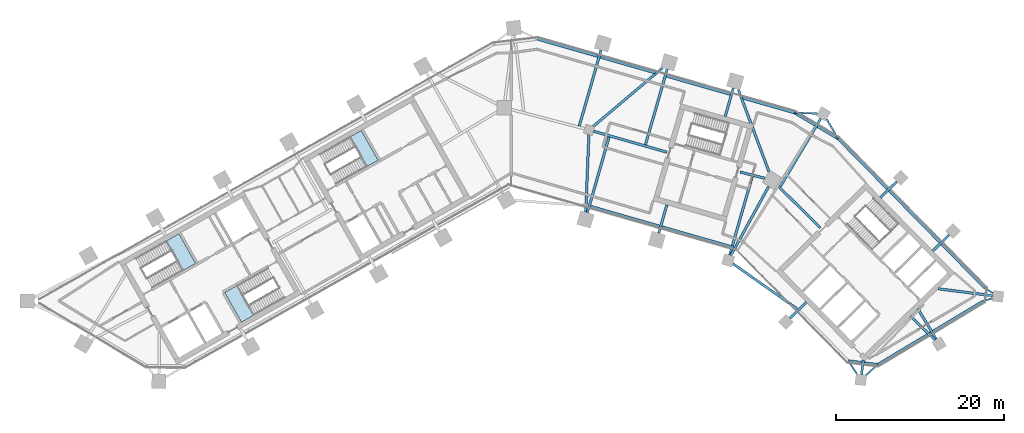
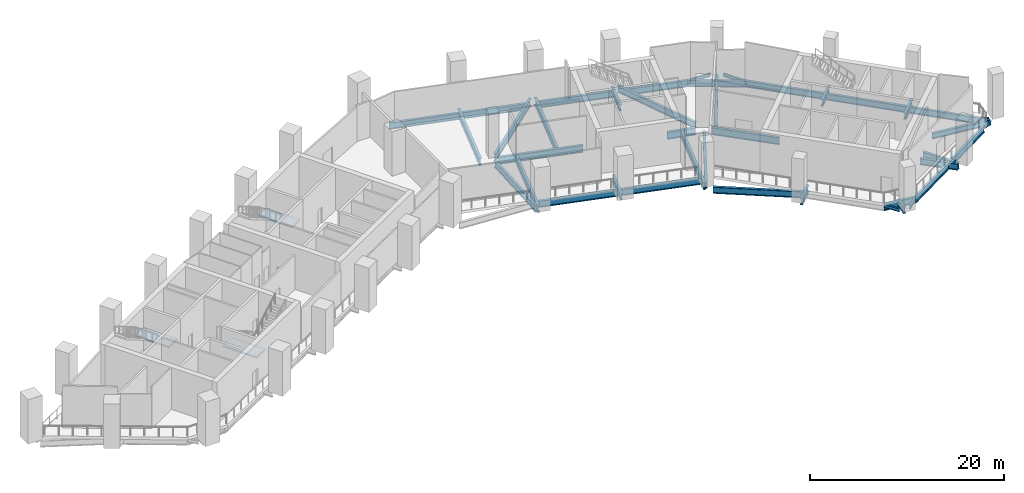
# One storey, part 2 of 11: 43 beams, 3 slabs, 3 elements without a shape of their own.
"""IFC4 building model written with IfcOpenShell, lengths in metres."""

from ifc_helpers import new_model, si_unit, direction, frame, origin, origin_2d, place, context, subcontext, project, spatial, polyline, i_section, outline, extrude, material, layer, layer_set, material_profile, profile_set, type_object, element, aggregate, save


model = new_model("IFC4")

# Units and contexts
model_context = context("Model", 3, precision=1e-05, world=origin(), true_north=direction((0.0, 1.0)))
body_context = subcontext(model_context, "Body", "Model", "MODEL_VIEW")
ifc_project = project(units=[si_unit("LENGTHUNIT", "METRE"), si_unit("AREAUNIT", "SQUARE_METRE"), si_unit("VOLUMEUNIT", "CUBIC_METRE"), si_unit("PLANEANGLEUNIT", "RADIAN"), si_unit("MASSUNIT", "GRAM", prefix="KILO")], contexts=[model_context])

# Site, building, storey
site_placement = place(None, origin())
site = spatial("IfcSite", under=ifc_project, at=site_placement, CompositionType="ELEMENT")
building_placement = place(site_placement, origin())
building = spatial("IfcBuilding", under=site, at=building_placement, Name="Binnacle Exchange Tower", CompositionType="ELEMENT")
storey_placement = place(building_placement, frame((0.0, 0.0, 91.5)))
storey = spatial("IfcBuildingStorey", under=building, at=storey_placement, Name="L18", CompositionType="ELEMENT", Elevation=91.5)

# Beams
ifc_material_1 = material(Name="Steel S355 (SHN355)", Category="steel")
ifc_material_profile_1 = material_profile(ifc_material_1, i_section(OverallWidth=0.300048828125, OverallDepth=0.800048828125, WebThickness=0.013916015625, FlangeThickness=0.02587890625, FilletRadius=0.028076171875, at=origin_2d()), Name="H 800x300x14x26")
ifc_profile_set_1 = profile_set([ifc_material_profile_1], Name="Steel S355 (SHN355)")
beam_type_1 = type_object("IfcBeamType", Name="Edge girder H 800x300x14x26 Steel S355 (SHN355)", PredefinedType="SPANDREL", material=ifc_profile_set_1)
beam_1_placement = place(storey_placement, frame((3.1298828125, 68.1376953125, -0.75), z_axis=(0.96125760514, -0.275651621726, 0.0), x_axis=(0.275651621726, 0.96125760514, 0.0)))
element("IfcBeam", 1, at=beam_1_placement, inside=storey, type_object=beam_type_1, Name="S:BM:edge:L18:032", PredefinedType="SPANDREL", context=body_context, shape_type="SweptSolid", body=[
    extrude(i_section(OverallWidth=0.300048828125, OverallDepth=0.800048828125, WebThickness=0.013916015625, FlangeThickness=0.02587890625, FilletRadius=0.028076171875, at=origin_2d()), origin(), (0.0, 0.0, 1.0), 7.449462890625),
])
beam_2_placement = place(storey_placement, frame((10.5791015625, 66.001708984375, -0.75), z_axis=(0.961253963763, -0.275664319689, 0.0), x_axis=(0.275664319689, 0.961253963763, 0.0)))
element("IfcBeam", 2, at=beam_2_placement, inside=storey, type_object=beam_type_1, Name="S:BM:edge:L18:034", PredefinedType="SPANDREL", context=body_context, shape_type="SweptSolid", body=[
    extrude(i_section(OverallWidth=0.300048828125, OverallDepth=0.800048828125, WebThickness=0.013916015625, FlangeThickness=0.02587890625, FilletRadius=0.028076171875, at=origin_2d()), origin(), (0.0, 0.0, 1.0), 6.76806640625),
])
beam_3_placement = place(storey_placement, frame((17.59912109375, 45.91845703125, -0.75), z_axis=(-0.961264031761, 0.275629209703, 0.0), x_axis=(-0.275629209703, -0.961264031761, 0.0)))
element("IfcBeam", 3, at=beam_3_placement, inside=storey, type_object=beam_type_1, Name="S:BM:edge:L18:035", PredefinedType="SPANDREL", context=body_context, shape_type="SweptSolid", body=[
    extrude(i_section(OverallWidth=0.300048828125, OverallDepth=0.800048828125, WebThickness=0.013916015625, FlangeThickness=0.02587890625, FilletRadius=0.028076171875, at=origin_2d()), origin(), (0.0, 0.0, 1.0), 8.52099609375),
])
beam_4_placement = place(storey_placement, frame((18.435546875, 63.748779296875, -0.75), z_axis=(0.961260218753, -0.275642507323, 0.0), x_axis=(0.275642507323, 0.961260218753, 0.0)))
element("IfcBeam", 4, at=beam_4_placement, inside=storey, type_object=beam_type_1, Name="S:BM:edge:L18:036", PredefinedType="SPANDREL", context=body_context, shape_type="SweptSolid", body=[
    extrude(i_section(OverallWidth=0.300048828125, OverallDepth=0.800048828125, WebThickness=0.013916015625, FlangeThickness=0.02587890625, FilletRadius=0.028076171875, at=origin_2d()), origin(), (0.0, 0.0, 1.0), 7.873046875),
])
beam_5_placement = place(storey_placement, frame((26.43603515625, 43.384521484375, -0.75), z_axis=(-0.961264530406, 0.275627470663, 0.0), x_axis=(-0.275627470663, -0.961264530406, 0.0)))
element("IfcBeam", 5, at=beam_5_placement, inside=storey, type_object=beam_type_1, Name="S:BM:edge:L18:037", PredefinedType="SPANDREL", context=body_context, shape_type="SweptSolid", body=[
    extrude(i_section(OverallWidth=0.300048828125, OverallDepth=0.800048828125, WebThickness=0.013916015625, FlangeThickness=0.02587890625, FilletRadius=0.028076171875, at=origin_2d()), origin(), (0.0, 0.0, 1.0), 8.89306640625),
])
beam_6_placement = place(storey_placement, frame((27.465576171875, 61.159423828125, -0.75), z_axis=(0.961264316474, -0.275628216761, 0.0), x_axis=(0.275628216761, 0.961264316474, 0.0)))
element("IfcBeam", 6, at=beam_6_placement, inside=storey, type_object=beam_type_1, Name="S:BM:edge:L18:038", PredefinedType="SPANDREL", context=body_context, shape_type="SweptSolid", body=[
    extrude(i_section(OverallWidth=0.300048828125, OverallDepth=0.800048828125, WebThickness=0.013916015625, FlangeThickness=0.02587890625, FilletRadius=0.028076171875, at=origin_2d()), origin(), (0.0, 0.0, 1.0), 6.433349609375),
])
beam_7_placement = place(storey_placement, frame((33.649658203125, 59.38623046875, -0.75), z_axis=(0.859396278682, -0.511310117431, 0.0), x_axis=(0.511310117431, 0.859396278682, 0.0)))
element("IfcBeam", 7, at=beam_7_placement, inside=storey, type_object=beam_type_1, Name="S:BM:edge:L18:039", PredefinedType="SPANDREL", context=body_context, shape_type="SweptSolid", body=[
    extrude(i_section(OverallWidth=0.300048828125, OverallDepth=0.800048828125, WebThickness=0.013916015625, FlangeThickness=0.02587890625, FilletRadius=0.028076171875, at=origin_2d()), origin(), (0.0, 0.0, 1.0), 2.86572265625),
])
beam_8_placement = place(storey_placement, frame((33.9912109375, 36.06689453125, -0.75), z_axis=(-0.817556579921, 0.575848277438, 0.0), x_axis=(-0.575848277438, -0.817556579921, 0.0)))
element("IfcBeam", 8, at=beam_8_placement, inside=storey, type_object=beam_type_1, Name="S:BM:edge:L18:040", PredefinedType="SPANDREL", context=body_context, shape_type="SweptSolid", body=[
    extrude(i_section(OverallWidth=0.300048828125, OverallDepth=0.800048828125, WebThickness=0.013916015625, FlangeThickness=0.02587890625, FilletRadius=0.028076171875, at=origin_2d()), origin(), (0.0, 0.0, 1.0), 9.371337890625),
])
beam_9_placement = place(storey_placement, frame((36.370361328125, 57.767578125, -0.75), z_axis=(0.85943371201, -0.511247195259, 0.0), x_axis=(0.511247195259, 0.85943371201, 0.0)))
element("IfcBeam", 9, at=beam_9_placement, inside=storey, type_object=beam_type_1, Name="S:BM:edge:L18:041", PredefinedType="SPANDREL", context=body_context, shape_type="SweptSolid", body=[
    extrude(i_section(OverallWidth=0.300048828125, OverallDepth=0.800048828125, WebThickness=0.013916015625, FlangeThickness=0.02587890625, FilletRadius=0.028076171875, at=origin_2d()), origin(), (0.0, 0.0, 1.0), 2.86572265625),
])
beam_10_placement = place(storey_placement, frame((38.833251953125, 56.302490234375, -0.75), z_axis=(0.700898201799, -0.713261320075, 0.0), x_axis=(0.713261320075, 0.700898201799, 0.0)))
element("IfcBeam", 10, at=beam_10_placement, inside=storey, type_object=beam_type_1, Name="S:BM:edge:L18:042", PredefinedType="SPANDREL", context=body_context, shape_type="SweptSolid", body=[
    extrude(i_section(OverallWidth=0.300048828125, OverallDepth=0.800048828125, WebThickness=0.013916015625, FlangeThickness=0.02587890625, FilletRadius=0.028076171875, at=origin_2d()), origin(), (0.0, 0.0, 1.0), 8.353271484375),
])
beam_11_placement = place(storey_placement, frame((41.6279296875, 29.717529296875, -0.75), z_axis=(-0.992007233584, 0.126181014882, 0.0), x_axis=(-0.126181014882, -0.992007233584, 0.0)))
element("IfcBeam", 11, at=beam_11_placement, inside=storey, type_object=beam_type_1, Name="S:BM:edge:L18:044", PredefinedType="SPANDREL", context=body_context, shape_type="SweptSolid", body=[
    extrude(i_section(OverallWidth=0.300048828125, OverallDepth=0.800048828125, WebThickness=0.013916015625, FlangeThickness=0.02587890625, FilletRadius=0.028076171875, at=origin_2d()), origin(), (0.0, 0.0, 1.0), 1.60986328125),
])
beam_12_placement = place(storey_placement, frame((43.5234375, 29.476318359375, -0.75), z_axis=(-0.991997911724, 0.126254279674, 0.0), x_axis=(-0.126254279674, -0.991997911724, 0.0)))
element("IfcBeam", 12, at=beam_12_placement, inside=storey, type_object=beam_type_1, Name="S:BM:edge:L18:045", PredefinedType="SPANDREL", context=body_context, shape_type="SweptSolid", body=[
    extrude(i_section(OverallWidth=0.300048828125, OverallDepth=0.800048828125, WebThickness=0.013916015625, FlangeThickness=0.02587890625, FilletRadius=0.028076171875, at=origin_2d()), origin(), (0.0, 0.0, 1.0), 1.61083984375),
])
beam_13_placement = place(storey_placement, frame((44.898193359375, 50.130615234375, -0.75), z_axis=(0.700899302003, -0.713260238939, 0.0), x_axis=(0.713260238939, 0.700899302003, 0.0)))
element("IfcBeam", 13, at=beam_13_placement, inside=storey, type_object=beam_type_1, Name="S:BM:edge:L18:046", PredefinedType="SPANDREL", context=body_context, shape_type="SweptSolid", body=[
    extrude(i_section(OverallWidth=0.300048828125, OverallDepth=0.800048828125, WebThickness=0.013916015625, FlangeThickness=0.02587890625, FilletRadius=0.028076171875, at=origin_2d()), origin(), (0.0, 0.0, 1.0), 8.572021484375),
])
beam_14_placement = place(storey_placement, frame((49.833984375, 33.268310546875, -0.75), z_axis=(-0.857153323442, -0.515061336262, 0.0), x_axis=(0.515061336262, -0.857153323442, 0.0)))
element("IfcBeam", 14, at=beam_14_placement, inside=storey, type_object=beam_type_1, Name="S:BM:edge:L18:047", PredefinedType="SPANDREL", context=body_context, shape_type="SweptSolid", body=[
    extrude(i_section(OverallWidth=0.300048828125, OverallDepth=0.800048828125, WebThickness=0.013916015625, FlangeThickness=0.02587890625, FilletRadius=0.028076171875, at=origin_2d()), origin(), (0.0, 0.0, 1.0), 7.3623046875),
])
beam_15_placement = place(storey_placement, frame((51.11669921875, 43.802734375, -0.75), z_axis=(0.700893017941, -0.713266414043, 0.0), x_axis=(0.713266414043, 0.700893017941, 0.0)))
element("IfcBeam", 15, at=beam_15_placement, inside=storey, type_object=beam_type_1, Name="S:BM:edge:L18:048", PredefinedType="SPANDREL", context=body_context, shape_type="SweptSolid", body=[
    extrude(i_section(OverallWidth=0.300048828125, OverallDepth=0.800048828125, WebThickness=0.013916015625, FlangeThickness=0.02587890625, FilletRadius=0.028076171875, at=origin_2d()), origin(), (0.0, 0.0, 1.0), 7.340087890625),
])
beam_16_placement = place(storey_placement, frame((56.063232421875, 37.010986328125, -0.75), z_axis=(-0.857161910898, -0.515047044944, 0.0), x_axis=(0.515047044944, -0.857161910898, 0.0)))
element("IfcBeam", 16, at=beam_16_placement, inside=storey, type_object=beam_type_1, Name="S:BM:edge:L18:049", PredefinedType="SPANDREL", context=body_context, shape_type="SweptSolid", body=[
    extrude(i_section(OverallWidth=0.300048828125, OverallDepth=0.800048828125, WebThickness=0.013916015625, FlangeThickness=0.02587890625, FilletRadius=0.028076171875, at=origin_2d()), origin(), (0.0, 0.0, 1.0), 6.967041015625),
])
ifc_material_profile_2 = material_profile(ifc_material_1, i_section(OverallWidth=0.199951171875, OverallDepth=0.39990234375, WebThickness=0.008056640625, FlangeThickness=0.012939453125, FilletRadius=0.01611328125, at=origin_2d()), Name="H 400x200x8x13")
ifc_profile_set_2 = profile_set([ifc_material_profile_2], Name="Steel S355 (SHN355)")
beam_type_2 = type_object("IfcBeamType", Name="Floor beam H 400x200x8x13 Steel S355 (SHN355)", PredefinedType="BEAM", material=ifc_profile_set_2)
beam_17_placement = place(storey_placement, frame((36.344482421875, 59.2890625, -0.550048828125), z_axis=(-0.999350570304, 0.036033840096, 0.0), x_axis=(-0.036033840096, -0.999350570304, 0.0)))
element("IfcBeam", 17, at=beam_17_placement, inside=storey, type_object=beam_type_2, Name="S:BM:cross:L18:074", PredefinedType="BEAM", context=body_context, shape_type="SweptSolid", body=[
    extrude(i_section(OverallWidth=0.199951171875, OverallDepth=0.39990234375, WebThickness=0.008056640625, FlangeThickness=0.012939453125, FilletRadius=0.01611328125, at=origin_2d()), origin(), (0.0, 0.0, 1.0), 2.696533203125),
])
beam_18_placement = place(storey_placement, frame((37.4619140625, 58.62451171875, -0.550048828125), z_axis=(0.508518840973, -0.861050862827, 0.0), x_axis=(0.861050862827, 0.508518840973, 0.0)))
element("IfcBeam", 18, at=beam_18_placement, inside=storey, type_object=beam_type_2, Name="S:BM:cross:L18:076", PredefinedType="BEAM", context=body_context, shape_type="SweptSolid", body=[
    extrude(i_section(OverallWidth=0.199951171875, OverallDepth=0.39990234375, WebThickness=0.008056640625, FlangeThickness=0.012939453125, FilletRadius=0.01611328125, at=origin_2d()), origin(), (0.0, 0.0, 1.0), 2.69677734375),
])
for number, where, z_axis, x_axis, name in (
    (19, (41.04541015625, 28.390380859375, -0.550048828125), (-0.552519517142, 0.833499959914, 0.0), (-0.833499959914, -0.552519517142, 0.0), "S:BM:cross:L18:077"),
    (20, (42.158203125, 28.248779296875, -0.550048828125), (0.743611445895, 0.668612008219, 0.0), (-0.668612008219, 0.743611445895, 0.0), "S:BM:cross:L18:079"),
):
    element("IfcBeam", number, at=place(storey_placement, frame(where, z_axis=z_axis, x_axis=x_axis)), inside=storey, type_object=beam_type_2, Name=name, PredefinedType="BEAM", context=body_context, shape_type="SweptSolid", body=[
        extrude(i_section(OverallWidth=0.199951171875, OverallDepth=0.39990234375, WebThickness=0.008056640625, FlangeThickness=0.012939453125, FilletRadius=0.01611328125, at=origin_2d()), origin(), (0.0, 0.0, 1.0), 1.8359375),
    ])
for number, where, z_axis, x_axis, name in (
    (21, (57.115234375, 37.3564453125, -0.550048828125), (-0.950084978992, -0.31199123817, 0.0), (0.31199123817, -0.950084978992, 0.0), "S:BM:cross:L18:083"),
    (22, (57.193115234375, 37.969482421875, -0.550048828125), (-0.841658154896, 0.540010694614, 0.0), (-0.540010694614, -0.841658154896, 0.0), "S:BM:cross:L18:085"),
):
    element("IfcBeam", number, at=place(storey_placement, frame(where, z_axis=z_axis, x_axis=x_axis)), inside=storey, type_object=beam_type_2, Name=name, PredefinedType="BEAM", context=body_context, shape_type="SweptSolid", body=[
        extrude(i_section(OverallWidth=0.199951171875, OverallDepth=0.39990234375, WebThickness=0.008056640625, FlangeThickness=0.012939453125, FilletRadius=0.01611328125, at=origin_2d()), origin(), (0.0, 0.0, 1.0), 1.107177734375),
    ])
ifc_material_profile_3 = material_profile(ifc_material_1, i_section(OverallWidth=0.300048828125, OverallDepth=0.699951171875, WebThickness=0.012939453125, FlangeThickness=0.02392578125, FilletRadius=0.028076171875, at=origin_2d()), Name="H 700x300x13x24")
ifc_profile_set_3 = profile_set([ifc_material_profile_3], Name="Steel S355 (SHN355)")
beam_type_3 = type_object("IfcBeamType", Name="Floor beam H 700x300x13x24 Steel S355 (SHN355)", PredefinedType="BEAM", material=ifc_profile_set_3)
beam_19_placement = place(storey_placement, frame((57.154296875, 37.6630859375, -0.699951171875), z_axis=(-0.992006658356, 0.126185537116, 0.0), x_axis=(-0.126185537116, -0.992006658356, 0.0)))
element("IfcBeam", 23, at=beam_19_placement, inside=storey, type_object=beam_type_3, Name="S:BM:cross:L18:084", PredefinedType="BEAM", context=body_context, shape_type="SweptSolid", body=[
    extrude(i_section(OverallWidth=0.300048828125, OverallDepth=0.699951171875, WebThickness=0.012939453125, FlangeThickness=0.02392578125, FilletRadius=0.028076171875, at=origin_2d()), origin(), (0.0, 0.0, 1.0), 6.4814453125),
])
ifc_material_profile_4 = material_profile(ifc_material_1, i_section(OverallWidth=0.300048828125, OverallDepth=0.800048828125, WebThickness=0.013916015625, FlangeThickness=0.02587890625, FilletRadius=0.028076171875, at=origin_2d()), Name="H 800x300x14x26")
ifc_profile_set_4 = profile_set([ifc_material_profile_4], Name="Steel S355 (SHN355)")
beam_type_4 = type_object("IfcBeamType", Name="Floor beam H 800x300x14x26 Steel S355 (SHN355)", PredefinedType="BEAM", material=ifc_profile_set_4)
for number, where, z_axis, x_axis, name in (
    (24, (17.5224609375, 45.108154296875, -0.75), (0.275655468279, 0.961256502089, 0.0), (-0.961256502089, 0.275655468279, 0.0), "S:BM:cross:L18:069"),
    (25, (26.368408203125, 62.306396484375, -0.75), (-0.275655468279, -0.961256502089, 0.0), (0.961256502089, -0.275655468279, 0.0), "S:BM:cross:L18:072"),
):
    element("IfcBeam", number, at=place(storey_placement, frame(where, z_axis=z_axis, x_axis=x_axis)), inside=storey, type_object=beam_type_4, Name=name, PredefinedType="BEAM", context=body_context, shape_type="SweptSolid", body=[
        extrude(i_section(OverallWidth=0.300048828125, OverallDepth=0.800048828125, WebThickness=0.013916015625, FlangeThickness=0.02587890625, FilletRadius=0.028076171875, at=origin_2d()), origin(), (0.0, 0.0, 1.0), 3.485107421875),
    ])
beam_20_placement = place(storey_placement, frame((33.104736328125, 34.985595703125, -0.75), z_axis=(0.713254209224, 0.700905438004, 0.0), x_axis=(-0.700905438004, 0.713254209224, 0.0)))
element("IfcBeam", 26, at=beam_20_placement, inside=storey, type_object=beam_type_4, Name="S:BM:cross:L18:073", PredefinedType="BEAM", context=body_context, shape_type="SweptSolid", body=[
    extrude(i_section(OverallWidth=0.300048828125, OverallDepth=0.800048828125, WebThickness=0.013916015625, FlangeThickness=0.02587890625, FilletRadius=0.028076171875, at=origin_2d()), origin(), (0.0, 0.0, 1.0), 2.70849609375),
])
beam_21_placement = place(storey_placement, frame((41.601806640625, 28.319580078125, -0.75), z_axis=(0.126197116971, 0.992005185303, 0.0), x_axis=(-0.992005185303, 0.126197116971, 0.0)))
element("IfcBeam", 27, at=beam_21_placement, inside=storey, type_object=beam_type_4, Name="S:BM:cross:L18:078", PredefinedType="BEAM", context=body_context, shape_type="SweptSolid", body=[
    extrude(i_section(OverallWidth=0.300048828125, OverallDepth=0.800048828125, WebThickness=0.013916015625, FlangeThickness=0.02587890625, FilletRadius=0.028076171875, at=origin_2d()), origin(), (0.0, 0.0, 1.0), 1.68115234375),
])
beam_22_placement = place(storey_placement, frame((45.78466796875, 51.211669921875, -0.75), z_axis=(-0.713299272232, -0.700859578113, 0.0), x_axis=(0.700859578113, -0.713299272232, 0.0)))
element("IfcBeam", 28, at=beam_22_placement, inside=storey, type_object=beam_type_4, Name="S:BM:cross:L18:080", PredefinedType="BEAM", context=body_context, shape_type="SweptSolid", body=[
    extrude(i_section(OverallWidth=0.300048828125, OverallDepth=0.800048828125, WebThickness=0.013916015625, FlangeThickness=0.02587890625, FilletRadius=0.028076171875, at=origin_2d()), origin(), (0.0, 0.0, 1.0), 2.70849609375),
])
beam_23_placement = place(storey_placement, frame((50.477294921875, 32.488037109375, -0.75), z_axis=(-0.515057466438, 0.857155648798, 0.0), x_axis=(-0.857155648798, -0.515057466438, 0.0)))
element("IfcBeam", 29, at=beam_23_placement, inside=storey, type_object=beam_type_4, Name="S:BM:cross:L18:081", PredefinedType="BEAM", context=body_context, shape_type="SweptSolid", body=[
    extrude(i_section(OverallWidth=0.300048828125, OverallDepth=0.800048828125, WebThickness=0.013916015625, FlangeThickness=0.02587890625, FilletRadius=0.028076171875, at=origin_2d()), origin(), (0.0, 0.0, 1.0), 4.2177734375),
])
beam_24_placement = place(storey_placement, frame((52.003173828125, 44.8837890625, -0.75), z_axis=(-0.713254209224, -0.700905438004, 0.0), x_axis=(0.700905438004, -0.713254209224, 0.0)))
element("IfcBeam", 30, at=beam_24_placement, inside=storey, type_object=beam_type_4, Name="S:BM:cross:L18:082", PredefinedType="BEAM", context=body_context, shape_type="SweptSolid", body=[
    extrude(i_section(OverallWidth=0.300048828125, OverallDepth=0.800048828125, WebThickness=0.013916015625, FlangeThickness=0.02587890625, FilletRadius=0.028076171875, at=origin_2d()), origin(), (0.0, 0.0, 1.0), 2.70849609375),
])
ifc_material_profile_5 = material_profile(ifc_material_1, i_section(OverallWidth=0.300048828125, OverallDepth=0.89990234375, WebThickness=0.01611328125, FlangeThickness=0.028076171875, FilletRadius=0.028076171875, at=origin_2d()), Name="H 900x300x16x28")
ifc_profile_set_5 = profile_set([ifc_material_profile_5], Name="Steel S355 (SHN355)")
beam_type_5 = type_object("IfcBeamType", Name="Floor beam H 900x300x16x28 Steel S355 (SHN355)", PredefinedType="BEAM", material=ifc_profile_set_5)
beam_25_placement = place(storey_placement, frame((36.752685546875, 58.703857421875, -0.800048828125), z_axis=(-0.511298188751, -0.859403375709, 0.0), x_axis=(0.859403375709, -0.511298188751, 0.0)))
element("IfcBeam", 31, at=beam_25_placement, inside=storey, type_object=beam_type_5, Name="S:BM:cross:L18:075", PredefinedType="BEAM", context=body_context, shape_type="SweptSolid", body=[
    extrude(i_section(OverallWidth=0.300048828125, OverallDepth=0.89990234375, WebThickness=0.01611328125, FlangeThickness=0.028076171875, FilletRadius=0.028076171875, at=origin_2d()), origin(), (0.0, 0.0, 1.0), 9.385986328125),
])
ifc_material_profile_6 = material_profile(ifc_material_1, i_section(OverallWidth=0.302001953125, OverallDepth=0.912109375, WebThickness=0.01806640625, FlangeThickness=0.033935546875, FilletRadius=0.028076171875, at=origin_2d()), Name="H 912x302x18x34")
ifc_profile_set_6 = profile_set([ifc_material_profile_6], Name="Steel S355 (SHN355)")
beam_type_6 = type_object("IfcBeamType", Name="Floor beam H 912x302x18x34 Steel S355 (SHN355)", PredefinedType="BEAM", material=ifc_profile_set_6)
beam_26_placement = place(storey_placement, frame((9.043701171875, 47.539306640625, -0.805908203125), z_axis=(0.275646698205, 0.961259017003, 0.0), x_axis=(-0.961259017003, 0.275646698205, 0.0)))
element("IfcBeam", 32, at=beam_26_placement, inside=storey, type_object=beam_type_6, Name="S:BM:cross:L18:067", PredefinedType="BEAM", context=body_context, shape_type="SweptSolid", body=[
    extrude(i_section(OverallWidth=0.302001953125, OverallDepth=0.912109375, WebThickness=0.01806640625, FlangeThickness=0.033935546875, FilletRadius=0.028076171875, at=origin_2d()), origin(), (0.0, 0.0, 1.0), 9.335205078125),
])
beam_27_placement = place(storey_placement, frame((10.65576171875, 66.81201171875, -0.805908203125), z_axis=(-0.275626703457, -0.961264750389, 0.0), x_axis=(0.961264750389, -0.275626703457, 0.0)))
element("IfcBeam", 33, at=beam_27_placement, inside=storey, type_object=beam_type_6, Name="S:BM:cross:L18:068", PredefinedType="BEAM", context=body_context, shape_type="SweptSolid", body=[
    extrude(i_section(OverallWidth=0.302001953125, OverallDepth=0.912109375, WebThickness=0.01806640625, FlangeThickness=0.033935546875, FilletRadius=0.028076171875, at=origin_2d()), origin(), (0.0, 0.0, 1.0), 9.363525390625),
])
beam_28_placement = place(storey_placement, frame((18.511962890625, 64.55908203125, -0.805908203125), z_axis=(-0.275629461812, -0.961263959473, 0.0), x_axis=(0.961263959473, -0.275629461812, 0.0)))
element("IfcBeam", 34, at=beam_28_placement, inside=storey, type_object=beam_type_6, Name="S:BM:cross:L18:070", PredefinedType="BEAM", context=body_context, shape_type="SweptSolid", body=[
    extrude(i_section(OverallWidth=0.302001953125, OverallDepth=0.912109375, WebThickness=0.01806640625, FlangeThickness=0.033935546875, FilletRadius=0.028076171875, at=origin_2d()), origin(), (0.0, 0.0, 1.0), 9.3349609375),
])
beam_29_placement = place(storey_placement, frame((25.946044921875, 42.484619140625, -0.805908203125), z_axis=(0.27563302029, 0.96126293912, 0.0), x_axis=(-0.96126293912, 0.27563302029, 0.0)))
element("IfcBeam", 35, at=beam_29_placement, inside=storey, type_object=beam_type_6, Name="S:BM:cross:L18:071", PredefinedType="BEAM", context=body_context, shape_type="SweptSolid", body=[
    extrude(i_section(OverallWidth=0.302001953125, OverallDepth=0.912109375, WebThickness=0.01806640625, FlangeThickness=0.033935546875, FilletRadius=0.028076171875, at=origin_2d()), origin(), (0.0, 0.0, 1.0), 9.722900390625),
])
ifc_material_profile_7 = material_profile(ifc_material_1, i_section(OverallWidth=0.300048828125, OverallDepth=0.800048828125, WebThickness=0.013916015625, FlangeThickness=0.02587890625, FilletRadius=0.028076171875, at=origin_2d()), Name="H 800x300x14x26")
ifc_profile_set_7 = profile_set([ifc_material_profile_7], Name="Steel S355 (SHN355)")
beam_type_7 = type_object("IfcBeamType", Name="Spine girder H 800x300x14x26 Steel S355 (SHN355)", PredefinedType="BEAM", material=ifc_profile_set_7)
beam_30_placement = place(storey_placement, frame((9.218017578125, 56.78466796875, -0.75), z_axis=(-0.040567083206, -0.999176817065, 0.0), x_axis=(0.999176817065, -0.040567083206, 0.0)))
element("IfcBeam", 36, at=beam_30_placement, inside=storey, type_object=beam_type_7, Name="S:BM:spine:L18:007", PredefinedType="BEAM", context=body_context, shape_type="SweptSolid", body=[
    extrude(i_section(OverallWidth=0.300048828125, OverallDepth=0.800048828125, WebThickness=0.013916015625, FlangeThickness=0.02587890625, FilletRadius=0.028076171875, at=origin_2d()), origin(), (0.0, 0.0, 1.0), 9.19580078125),
])
beam_31_placement = place(storey_placement, frame((30.580078125, 50.6396484375, -0.75), z_axis=(-0.480716000085, -0.87687634662, 0.0), x_axis=(0.87687634662, -0.480716000085, 0.0)))
element("IfcBeam", 37, at=beam_31_placement, inside=storey, type_object=beam_type_7, Name="S:BM:spine:L18:011", PredefinedType="BEAM", context=body_context, shape_type="SweptSolid", body=[
    extrude(i_section(OverallWidth=0.300048828125, OverallDepth=0.800048828125, WebThickness=0.013916015625, FlangeThickness=0.02587890625, FilletRadius=0.028076171875, at=origin_2d()), origin(), (0.0, 0.0, 1.0), 9.34619140625),
])
beam_32_placement = place(storey_placement, frame((47.417236328125, 35.23095703125, -0.75), z_axis=(0.717013275689, -0.697059511437, 0.0), x_axis=(0.697059511437, 0.717013275689, 0.0)))
element("IfcBeam", 38, at=beam_32_placement, inside=storey, type_object=beam_type_7, Name="S:BM:spine:L18:014", PredefinedType="BEAM", context=body_context, shape_type="SweptSolid", body=[
    extrude(i_section(OverallWidth=0.300048828125, OverallDepth=0.800048828125, WebThickness=0.013916015625, FlangeThickness=0.02587890625, FilletRadius=0.028076171875, at=origin_2d()), origin(), (0.0, 0.0, 1.0), 4.06201171875),
])
ifc_material_profile_8 = material_profile(ifc_material_1, i_section(OverallWidth=0.302001953125, OverallDepth=0.80810546875, WebThickness=0.01611328125, FlangeThickness=0.030029296875, FilletRadius=0.028076171875, at=origin_2d()), Name="H 808x302x16x30")
ifc_profile_set_8 = profile_set([ifc_material_profile_8], Name="Steel S355 (SHN355)")
beam_type_8 = type_object("IfcBeamType", Name="Spine girder H 808x302x16x30 Steel S355 (SHN355)", PredefinedType="BEAM", material=ifc_profile_set_8)
beam_33_placement = place(storey_placement, frame((30.614501953125, 52.389892578125, -0.75390625), z_axis=(-0.350104624168, 0.936710602126, 0.0), x_axis=(-0.936710602126, -0.350104624168, 0.0)))
element("IfcBeam", 39, at=beam_33_placement, inside=storey, type_object=beam_type_8, Name="S:BM:spine:L18:012", PredefinedType="BEAM", context=body_context, shape_type="SweptSolid", body=[
    extrude(i_section(OverallWidth=0.302001953125, OverallDepth=0.80810546875, WebThickness=0.01611328125, FlangeThickness=0.030029296875, FilletRadius=0.028076171875, at=origin_2d()), origin(), (0.0, 0.0, 1.0), 10.4013671875),
])
ifc_material_profile_9 = material_profile(ifc_material_1, i_section(OverallWidth=0.300048828125, OverallDepth=0.89990234375, WebThickness=0.01611328125, FlangeThickness=0.028076171875, FilletRadius=0.028076171875, at=origin_2d()), Name="H 900x300x16x28")
ifc_profile_set_9 = profile_set([ifc_material_profile_9], Name="Steel S355 (SHN355)")
beam_type_9 = type_object("IfcBeamType", Name="Spine girder H 900x300x16x28 Steel S355 (SHN355)", PredefinedType="BEAM", material=ifc_profile_set_9)
beam_34_placement = place(storey_placement, frame((9.74658203125, 57.77734375, -0.800048828125), z_axis=(0.764072930463, 0.64512987602, 0.0), x_axis=(-0.64512987602, 0.764072930463, 0.0)))
element("IfcBeam", 40, at=beam_34_placement, inside=storey, type_object=beam_type_9, Name="S:BM:spine:L18:008", PredefinedType="BEAM", context=body_context, shape_type="SweptSolid", body=[
    extrude(i_section(OverallWidth=0.300048828125, OverallDepth=0.89990234375, WebThickness=0.01611328125, FlangeThickness=0.028076171875, FilletRadius=0.028076171875, at=origin_2d()), origin(), (0.0, 0.0, 1.0), 10.755615234375),
])
beam_35_placement = place(storey_placement, frame((31.60888671875, 50.773681640625, -0.800048828125), z_axis=(0.711013452478, -0.703178405809, 0.0), x_axis=(0.703178405809, 0.711013452478, 0.0)))
element("IfcBeam", 41, at=beam_35_placement, inside=storey, type_object=beam_type_9, Name="S:BM:spine:L18:013", PredefinedType="BEAM", context=body_context, shape_type="SweptSolid", body=[
    extrude(i_section(OverallWidth=0.300048828125, OverallDepth=0.89990234375, WebThickness=0.01611328125, FlangeThickness=0.028076171875, FilletRadius=0.028076171875, at=origin_2d()), origin(), (0.0, 0.0, 1.0), 7.166748046875),
])
ifc_material_profile_10 = material_profile(ifc_material_1, i_section(OverallWidth=0.302001953125, OverallDepth=0.912109375, WebThickness=0.01806640625, FlangeThickness=0.033935546875, FilletRadius=0.028076171875, at=origin_2d()), Name="H 912x302x18x34")
ifc_profile_set_10 = profile_set([ifc_material_profile_10], Name="Steel S355 (SHN355)")
beam_type_10 = type_object("IfcBeamType", Name="Spine girder H 912x302x18x34 Steel S355 (SHN355)", PredefinedType="BEAM", material=ifc_profile_set_10)
beam_36_placement = place(storey_placement, frame((9.76953125, 57.198486328125, -0.805908203125), z_axis=(0.961265329417, -0.275624684057, 0.0), x_axis=(0.275624684057, 0.961265329417, 0.0)))
element("IfcBeam", 42, at=beam_36_placement, inside=storey, type_object=beam_type_10, Name="S:BM:spine:L18:009", PredefinedType="BEAM", context=body_context, shape_type="SweptSolid", body=[
    extrude(i_section(OverallWidth=0.302001953125, OverallDepth=0.912109375, WebThickness=0.01806640625, FlangeThickness=0.033935546875, FilletRadius=0.028076171875, at=origin_2d()), origin(), (0.0, 0.0, 1.0), 9.063232421875),
])
beam_37_placement = place(storey_placement, frame((27.17138671875, 52.35400390625, -0.805908203125), z_axis=(0.969359627701, -0.245645908136, 0.0), x_axis=(0.245645908136, 0.969359627701, 0.0)))
element("IfcBeam", 43, at=beam_37_placement, inside=storey, type_object=beam_type_10, Name="S:BM:spine:L18:010", PredefinedType="BEAM", context=body_context, shape_type="SweptSolid", body=[
    extrude(i_section(OverallWidth=0.302001953125, OverallDepth=0.912109375, WebThickness=0.01806640625, FlangeThickness=0.033935546875, FilletRadius=0.028076171875, at=origin_2d()), origin(), (0.0, 0.0, 1.0), 3.046142578125),
])

# Stair, slab
ifc_material_2 = material(Name="Concrete C35/45", Category="concrete")
stair_type = type_object("IfcStairType", Name="STAIR 32 RISERS 175", PredefinedType="HALF_TURN_STAIR", material=ifc_material_2)
stair_1_placement = place(storey_placement, origin())
stair_1 = element("IfcStair", 44, at=stair_1_placement, inside=storey, type_object=stair_type, Name="L18 Escape stair A1", PredefinedType="HALF_TURN_STAIR")
ifc_layer = layer(ifc_material_2, 0.199951171875)
ifc_layer_set = layer_set([ifc_layer], Name="STAIR LANDING 200")
slab_type = type_object("IfcSlabType", Name="STAIR LANDING 200", PredefinedType="LANDING", material=ifc_layer_set)
slab_1_placement = place(storey_placement, frame((0.0, 0.0, 2.60009765625)))
slab_1 = element("IfcSlab", 45, at=slab_1_placement, type_object=slab_type, Name="STA1 landing 1", PredefinedType="LANDING", context=body_context, shape_type="SweptSolid", body=[
    extrude(outline(polyline([(-38.983642578125, 40.644287109375), (-37.486572265625, 41.4912109375), (-39.48095703125, 45.01611328125), (-40.977783203125, 44.169189453125), (-38.983642578125, 40.644287109375)])), origin(), (0.0, 0.0, 1.0), 0.199951171875),
])
aggregate(stair_1, [slab_1])

stair_2_placement = place(storey_placement, origin())
stair_2 = element("IfcStair", 46, at=stair_2_placement, inside=storey, type_object=stair_type, Name="L18 Escape stair A2", PredefinedType="HALF_TURN_STAIR")
slab_2_placement = place(storey_placement, frame((0.0, 0.0, 2.60009765625)))
slab_2 = element("IfcSlab", 47, at=slab_2_placement, type_object=slab_type, Name="STA2 landing 1", PredefinedType="LANDING", context=body_context, shape_type="SweptSolid", body=[
    extrude(outline(polyline([(-32.543701171875, 38.8876953125), (-34.040771484375, 38.04052734375), (-32.04638671875, 34.515625), (-30.54931640625, 35.362548828125), (-32.543701171875, 38.8876953125)])), origin(), (0.0, 0.0, 1.0), 0.199951171875),
])
aggregate(stair_2, [slab_2])

stair_3_placement = place(storey_placement, origin())
stair_3 = element("IfcStair", 48, at=stair_3_placement, inside=storey, type_object=stair_type, Name="L18 Escape stair C1", PredefinedType="HALF_TURN_STAIR")
slab_3_placement = place(storey_placement, frame((0.0, 0.0, 2.60009765625)))
slab_3 = element("IfcSlab", 49, at=slab_3_placement, type_object=slab_type, Name="STC1 landing 1", PredefinedType="LANDING", context=body_context, shape_type="SweptSolid", body=[
    extrude(outline(polyline([(-17.1455078125, 52.99951171875), (-15.822509765625, 53.748046875), (-17.81689453125, 57.27294921875), (-19.139892578125, 56.5244140625), (-17.1455078125, 52.99951171875)])), origin(), (0.0, 0.0, 1.0), 0.199951171875),
])
aggregate(stair_3, [slab_3])

save(model, "model.ifc")
